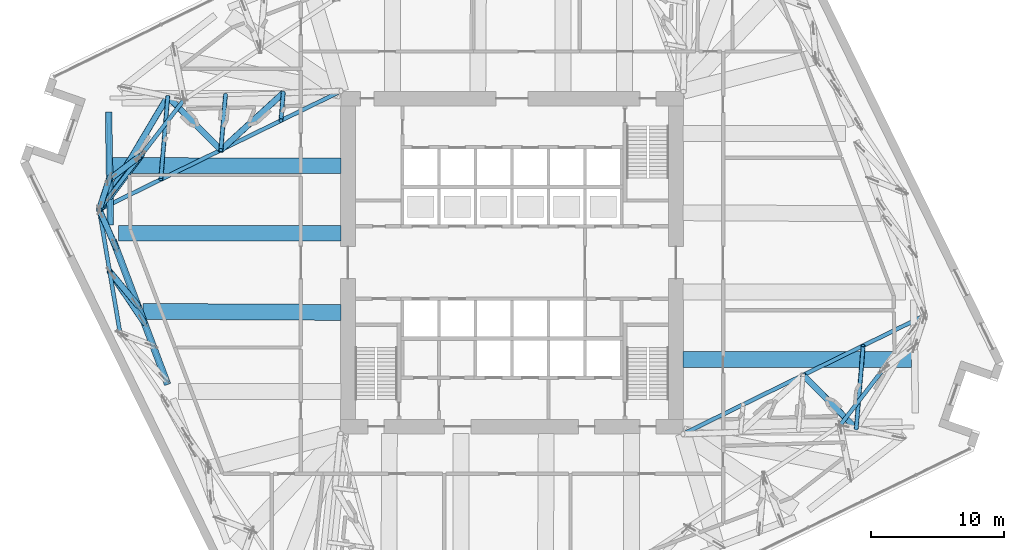
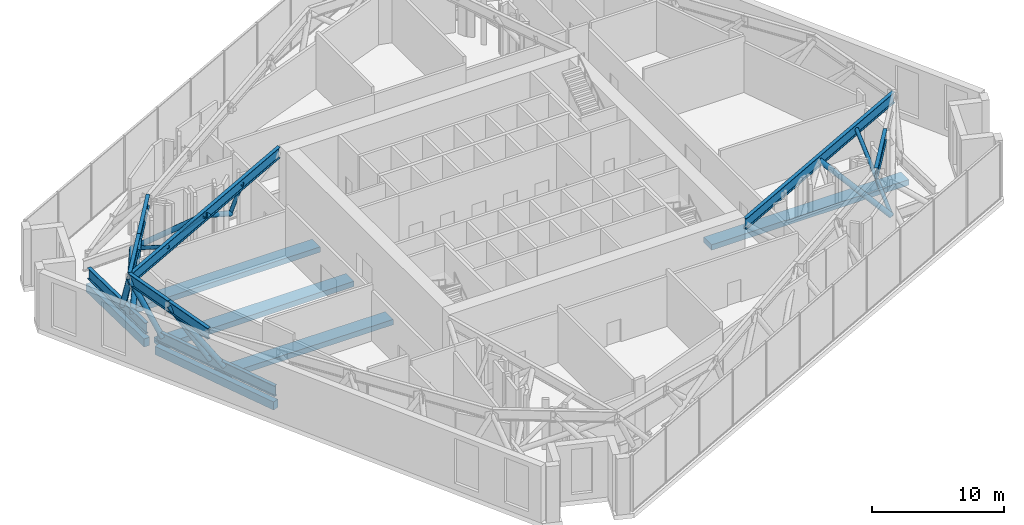
# One storey, part 3 of 21: 15 beams, 14 members.
"""IFC4 building model written with IfcOpenShell, lengths in metres."""

from ifc_helpers import new_model, si_unit, direction, frame, origin, origin_2d, place, context, subcontext, project, spatial, rectangle, hollow_circle, i_section, extrude, material, material_profile, profile_set, type_object, element, save


model = new_model("IFC4")

# Units and contexts
model_context = context("Model", 3, precision=1e-05, world=origin(), true_north=direction((0.0, 1.0)))
body_context = subcontext(model_context, "Body", "Model", "MODEL_VIEW")
ifc_project = project(units=[si_unit("LENGTHUNIT", "METRE"), si_unit("AREAUNIT", "SQUARE_METRE"), si_unit("VOLUMEUNIT", "CUBIC_METRE"), si_unit("PLANEANGLEUNIT", "RADIAN"), si_unit("MASSUNIT", "GRAM", prefix="KILO")], contexts=[model_context])

# Site, building, storey
site_placement = place(None, origin())
site = spatial("IfcSite", under=ifc_project, at=site_placement, CompositionType="ELEMENT")
building_placement = place(site_placement, origin())
building = spatial("IfcBuilding", under=site, at=building_placement, Name="Dilmun Exchange Tower", CompositionType="ELEMENT")
storey_placement = place(building_placement, frame((0.0, 0.0, 130.10009765625)))
storey = spatial("IfcBuildingStorey", under=building, at=storey_placement, Name="L30", CompositionType="ELEMENT", Elevation=130.10009765625)

# Beams
ifc_material_1 = material(Name="Concrete C40/50", Category="concrete")
ifc_material_profile_1 = material_profile(ifc_material_1, rectangle(XDim=1.199951171875, YDim=0.5, at=origin_2d()), Name="1200 x 500")
ifc_profile_set_1 = profile_set([ifc_material_profile_1], Name="Concrete C40/50")
beam_type_1 = type_object("IfcBeamType", Name="RC band beam 1200 x 500 C40/50", PredefinedType="BEAM", material=ifc_profile_set_1)
beam_1_placement = place(storey_placement, frame((-29.61669921875, 2.2099609375, -0.77001953125), z_axis=(1.0, 0.0, 0.0), x_axis=(0.0, 1.0, 0.0)))
element("IfcBeam", 1, at=beam_1_placement, inside=storey, type_object=beam_type_1, Name="Band beam 6", PredefinedType="BEAM", context=body_context, shape_type="SweptSolid", body=[
    extrude(rectangle(XDim=1.199951171875, YDim=0.5, at=origin_2d()), origin(), (0.0, 0.0, 1.0), 16.74365234375),
])
beam_2_placement = place(storey_placement, frame((-30.089599609375, 7.294189453125, -0.670166015625), z_axis=(0.999999977378, -0.000212708627, 0.0), x_axis=(0.000212708627, 0.999999977378, 0.0)))
element("IfcBeam", 2, at=beam_2_placement, inside=storey, type_object=beam_type_1, Name="Band beam 21", PredefinedType="BEAM", context=body_context, shape_type="SweptSolid", body=[
    extrude(rectangle(XDim=1.199951171875, YDim=0.5, at=origin_2d()), origin(), (0.0, 0.0, 1.0), 17.216552734375),
])
beam_3_placement = place(storey_placement, frame((-27.77001953125, -3.6748046875, -0.670166015625), z_axis=(0.999986076233, -0.005277057861, 0.0), x_axis=(0.005277057861, 0.999986076233, 0.0)))
element("IfcBeam", 3, at=beam_3_placement, inside=storey, type_object=beam_type_1, Name="Band beam 22", PredefinedType="BEAM", context=body_context, shape_type="SweptSolid", body=[
    extrude(rectangle(XDim=1.199951171875, YDim=0.5, at=origin_2d()), origin(), (0.0, 0.0, 1.0), 14.897216796875),
])
beam_4_placement = place(storey_placement, frame((30.089599609375, -7.294189453125, -0.670166015625), z_axis=(-0.999999977378, 0.000212708627, 0.0), x_axis=(-0.000212708627, -0.999999977378, 0.0)))
element("IfcBeam", 4, at=beam_4_placement, inside=storey, type_object=beam_type_1, Name="Band beam 29", PredefinedType="BEAM", context=body_context, shape_type="SweptSolid", body=[
    extrude(rectangle(XDim=1.199951171875, YDim=0.5, at=origin_2d()), origin(), (0.0, 0.0, 1.0), 17.216552734375),
])
ifc_material_profile_2 = material_profile(ifc_material_1, rectangle(XDim=0.5, YDim=0.75, at=origin_2d()), Name="500 x 750")
ifc_profile_set_2 = profile_set([ifc_material_profile_2], Name="Concrete C40/50")
beam_type_2 = type_object("IfcBeamType", Name="RC ring beam 500 x 750 C40/50", PredefinedType="SPANDREL", material=ifc_profile_set_2)
beam_5_placement = place(storey_placement, frame((-30.37744140625, 11.33544921875, -0.795166015625), z_axis=(0.016054357527, -0.999871120497, 0.0), x_axis=(0.999871120497, 0.016054357527, 0.0)))
element("IfcBeam", 5, at=beam_5_placement, inside=storey, type_object=beam_type_2, Name="Ring beam 5", PredefinedType="SPANDREL", context=body_context, shape_type="SweptSolid", body=[
    extrude(rectangle(XDim=0.5, YDim=0.75, at=origin_2d()), origin(), (0.0, 0.0, 1.0), 8.515869140625),
])
beam_6_placement = place(storey_placement, frame((-30.028564453125, 1.674072265625, -0.795166015625), z_axis=(0.353349831573, -0.935491259461, 0.0), x_axis=(0.935491259461, 0.353349831573, 0.0)))
element("IfcBeam", 6, at=beam_6_placement, inside=storey, type_object=beam_type_2, Name="Ring beam 6", PredefinedType="SPANDREL", context=body_context, shape_type="SweptSolid", body=[
    extrude(rectangle(XDim=0.5, YDim=0.75, at=origin_2d()), origin(), (0.0, 0.0, 1.0), 11.603515625),
])
ifc_material_2 = material(Name="Steel S355", Category="steel")
ifc_material_profile_3 = material_profile(ifc_material_2, i_section(OverallWidth=0.300048828125, OverallDepth=1.0, WebThickness=0.01904296875, FlangeThickness=0.035888671875, FilletRadius=0.030029296875, at=origin_2d()), Name="HEB 1000")
ifc_profile_set_3 = profile_set([ifc_material_profile_3], Name="Steel S355")
beam_type_3 = type_object("IfcBeamType", Name="belt bottom chord HEB 1000", PredefinedType="BEAM", material=ifc_profile_set_3)
beam_7_placement = place(storey_placement, frame((-30.37744140625, 11.33544921875, 0.5), z_axis=(0.016054357527, -0.999871120497, 0.0), x_axis=(0.999871120497, 0.016054357527, 0.0)))
element("IfcBeam", 7, at=beam_7_placement, inside=storey, type_object=beam_type_3, Name="Belt bottom chord 5", PredefinedType="BEAM", context=body_context, shape_type="SweptSolid", body=[
    extrude(i_section(OverallWidth=0.300048828125, OverallDepth=1.0, WebThickness=0.01904296875, FlangeThickness=0.035888671875, FilletRadius=0.030029296875, at=origin_2d()), origin(), (0.0, 0.0, 1.0), 8.515869140625),
])
beam_8_placement = place(storey_placement, frame((-30.028564453125, 1.674072265625, 0.5), z_axis=(0.353349831573, -0.935491259461, 0.0), x_axis=(0.935491259461, 0.353349831573, 0.0)))
element("IfcBeam", 8, at=beam_8_placement, inside=storey, type_object=beam_type_3, Name="Belt bottom chord 6", PredefinedType="BEAM", context=body_context, shape_type="SweptSolid", body=[
    extrude(i_section(OverallWidth=0.300048828125, OverallDepth=1.0, WebThickness=0.01904296875, FlangeThickness=0.035888671875, FilletRadius=0.030029296875, at=origin_2d()), origin(), (0.0, 0.0, 1.0), 11.603515625),
])
ifc_material_profile_4 = material_profile(ifc_material_2, i_section(OverallWidth=0.300048828125, OverallDepth=1.0, WebThickness=0.01904296875, FlangeThickness=0.035888671875, FilletRadius=0.030029296875, at=origin_2d()), Name="HEB 1000")
ifc_profile_set_4 = profile_set([ifc_material_profile_4], Name="Steel S355")
beam_type_4 = type_object("IfcBeamType", Name="outrigger chord HEB 1000", PredefinedType="BEAM", material=ifc_profile_set_4)
for number, where, z_axis, x_axis, name in (
    (9, (-12.875732421875, 12.911865234375, 4.599853515625), (-0.897791308228, -0.440421124459, 0.0), (0.440421124459, -0.897791308228, 0.0), "Outrigger top chord 2"),
    (10, (12.875732421875, -12.911865234375, 4.599853515625), (0.897791308228, 0.440421124459, 0.0), (-0.440421124459, 0.897791308228, 0.0), "Outrigger top chord 4"),
):
    element("IfcBeam", number, at=place(storey_placement, frame(where, z_axis=z_axis, x_axis=x_axis)), inside=storey, type_object=beam_type_4, Name=name, PredefinedType="BEAM", context=body_context, shape_type="SweptSolid", body=[
        extrude(i_section(OverallWidth=0.300048828125, OverallDepth=1.0, WebThickness=0.01904296875, FlangeThickness=0.035888671875, FilletRadius=0.030029296875, at=origin_2d()), origin(), (0.0, 0.0, 1.0), 20.151611328125),
    ])

# Members
ifc_material_profile_5 = material_profile(ifc_material_2, hollow_circle(Radius=0.161865234375, WallThickness=0.01611328125, at=origin_2d()), Name="CHS 323.9x16")
ifc_profile_set_5 = profile_set([ifc_material_profile_5], Name="Steel S355")
member_type_1 = type_object("IfcMemberType", Name="outrigger post CHS 323.9x16", PredefinedType="POST", material=ifc_profile_set_5)
member_1_placement = place(storey_placement, frame((-17.398681640625, 10.693115234375, 4.599853515625), z_axis=(0.03832819552, 0.451444563301, -0.891475605776), x_axis=(-0.996415259265, 0.084596874082, 0.0)))
element("IfcMember", 11, at=member_1_placement, inside=storey, type_object=member_type_1, Name="Outrigger post 2.1", PredefinedType="POST", context=body_context, shape_type="SweptSolid", body=[
    extrude(hollow_circle(Radius=0.161865234375, WallThickness=0.01611328125, at=origin_2d()), origin(), (0.0, 0.0, 1.0), 4.598876953125),
])
member_2_placement = place(storey_placement, frame((-21.921630859375, 8.474365234375, 4.599853515625), z_axis=(0.059725784946, 0.711245677854, -0.700401610754), x_axis=(-0.99649276384, 0.083678979524, 0.0)))
element("IfcMember", 12, at=member_2_placement, inside=storey, type_object=member_type_1, Name="Outrigger post 2.2", PredefinedType="POST", context=body_context, shape_type="SweptSolid", body=[
    extrude(hollow_circle(Radius=0.161865234375, WallThickness=0.01611328125, at=origin_2d()), origin(), (0.0, 0.0, 1.0), 5.853515625),
])
for number, where, z_axis, x_axis, name in (
    (13, (-26.444580078125, 6.25537109375, 4.599853515625), (0.069818603065, 0.834141714548, -0.547113299707), (-0.996515359595, 0.083409460439, 0.0), "Outrigger post 2.3"),
    (14, (26.444580078125, -6.25537109375, 4.599853515625), (-0.069818603065, -0.834141714548, -0.547113299707), (0.996515359595, -0.083409460439, 0.0), "Outrigger post 4.3"),
):
    element("IfcMember", number, at=place(storey_placement, frame(where, z_axis=z_axis, x_axis=x_axis)), inside=storey, type_object=member_type_1, Name=name, PredefinedType="POST", context=body_context, shape_type="SweptSolid", body=[
        extrude(hollow_circle(Radius=0.161865234375, WallThickness=0.01611328125, at=origin_2d()), origin(), (0.0, 0.0, 1.0), 7.49365234375),
    ])

# Beams
ifc_material_profile_6 = material_profile(ifc_material_2, i_section(OverallWidth=0.302001953125, OverallDepth=1.008056640625, WebThickness=0.02099609375, FlangeThickness=0.0400390625, FilletRadius=0.030029296875, at=origin_2d()), Name="HEM 1000")
ifc_profile_set_6 = profile_set([ifc_material_profile_6], Name="Steel S355")
beam_type_5 = type_object("IfcBeamType", Name="transfer chord HEM 1000", PredefinedType="BEAM", material=ifc_profile_set_6)
beam_9_placement = place(storey_placement, frame((-24.698974609375, 12.258056640625, 4.69580078125), z_axis=(-0.610541445575, -0.791984307443, 0.0), x_axis=(0.791984307443, -0.610541445575, 0.0)))
element("IfcBeam", 15, at=beam_9_placement, inside=storey, type_object=beam_type_5, Name="Transfer chord 7", PredefinedType="BEAM", context=body_context, shape_type="SweptSolid", body=[
    extrude(i_section(OverallWidth=0.302001953125, OverallDepth=1.008056640625, WebThickness=0.02099609375, FlangeThickness=0.0400390625, FilletRadius=0.030029296875, at=origin_2d()), origin(), (0.0, 0.0, 1.0), 5.224853515625),
])
beam_10_placement = place(storey_placement, frame((-27.888916015625, 8.1201171875, 4.69580078125), z_axis=(-0.610548159849, -0.791979131357, 0.0), x_axis=(0.791979131357, -0.610548159849, 0.0)))
element("IfcBeam", 16, at=beam_10_placement, inside=storey, type_object=beam_type_5, Name="Transfer chord 8", PredefinedType="BEAM", context=body_context, shape_type="SweptSolid", body=[
    extrude(i_section(OverallWidth=0.302001953125, OverallDepth=1.008056640625, WebThickness=0.02099609375, FlangeThickness=0.0400390625, FilletRadius=0.030029296875, at=origin_2d()), origin(), (0.0, 0.0, 1.0), 5.22509765625),
])
for number, where, z_axis, x_axis, name in (
    (17, (-31.0791015625, 3.98193359375, 4.69580078125), (0.166498786046, -0.986041659488, 0.0), (0.986041659488, 0.166498786046, 0.0), "Transfer chord 9"),
    (18, (-30.29443359375, -0.6650390625, 4.69580078125), (0.166448417276, -0.98605016322, 0.0), (0.98605016322, 0.166448417276, 0.0), "Transfer chord 10"),
):
    element("IfcBeam", number, at=place(storey_placement, frame(where, z_axis=z_axis, x_axis=x_axis)), inside=storey, type_object=beam_type_5, Name=name, PredefinedType="BEAM", context=body_context, shape_type="SweptSolid", body=[
        extrude(i_section(OverallWidth=0.302001953125, OverallDepth=1.008056640625, WebThickness=0.02099609375, FlangeThickness=0.0400390625, FilletRadius=0.030029296875, at=origin_2d()), origin(), (0.0, 0.0, 1.0), 4.712646484375),
    ])
beam_11_placement = place(storey_placement, frame((24.698974609375, -12.258056640625, 4.69580078125), z_axis=(0.610541445575, 0.791984307443, 0.0), x_axis=(-0.791984307443, 0.610541445575, 0.0)))
element("IfcBeam", 19, at=beam_11_placement, inside=storey, type_object=beam_type_5, Name="Transfer chord 23", PredefinedType="BEAM", context=body_context, shape_type="SweptSolid", body=[
    extrude(i_section(OverallWidth=0.302001953125, OverallDepth=1.008056640625, WebThickness=0.02099609375, FlangeThickness=0.0400390625, FilletRadius=0.030029296875, at=origin_2d()), origin(), (0.0, 0.0, 1.0), 5.224853515625),
])

# Members
ifc_material_profile_7 = material_profile(ifc_material_2, hollow_circle(Radius=0.228515625, WallThickness=0.02490234375, at=origin_2d()), Name="CHS 457x25")
ifc_profile_set_7 = profile_set([ifc_material_profile_7], Name="Steel S355")
member_type_2 = type_object("IfcMemberType", Name="truss diagonal CHS 457x25", PredefinedType="BRACE", material=ifc_profile_set_7)
member_3_placement = place(storey_placement, frame((-27.888916015625, 8.1201171875, 4.69580078125), z_axis=(-0.412412354145, -0.551219582224, -0.725308915098), x_axis=(0.800698328831, -0.599067764286, 0.0)))
element("IfcMember", 20, at=member_3_placement, inside=storey, type_object=member_type_2, Name="Truss diagonal 15", PredefinedType="BRACE", context=body_context, shape_type="SweptSolid", body=[
    extrude(hollow_circle(Radius=0.228515625, WallThickness=0.02490234375, at=origin_2d()), origin(), (0.0, 0.0, 1.0), 5.784912109375),
])
member_4_placement = place(storey_placement, frame((-27.888916015625, 8.1201171875, 4.69580078125), z_axis=(-0.46519898955, -0.355326923161, -0.810760555157), x_axis=(0.60700430319, -0.794698544046, 0.0)))
element("IfcMember", 21, at=member_4_placement, inside=storey, type_object=member_type_2, Name="Truss diagonal 16", PredefinedType="BRACE", context=body_context, shape_type="SweptSolid", body=[
    extrude(hollow_circle(Radius=0.228515625, WallThickness=0.02490234375, at=origin_2d()), origin(), (0.0, 0.0, 1.0), 5.175048828125),
])
member_5_placement = place(storey_placement, frame((-31.0791015625, 3.98193359375, 4.69580078125), z_axis=(0.240133696137, -0.545138075464, -0.803218704127), x_axis=(0.915146044161, 0.403122460125, 0.0)))
element("IfcMember", 22, at=member_5_placement, inside=storey, type_object=member_type_2, Name="Truss diagonal 17", PredefinedType="BRACE", context=body_context, shape_type="SweptSolid", body=[
    extrude(hollow_circle(Radius=0.228515625, WallThickness=0.02490234375, at=origin_2d()), origin(), (0.0, 0.0, 1.0), 5.2236328125),
])
member_6_placement = place(storey_placement, frame((-31.0791015625, 3.98193359375, 4.69580078125), z_axis=(0.15930099841, 0.49214497258, -0.855813366261), x_axis=(-0.951400559526, 0.307956125663, 0.0)))
element("IfcMember", 23, at=member_6_placement, inside=storey, type_object=member_type_2, Name="Truss diagonal 18", PredefinedType="BRACE", context=body_context, shape_type="SweptSolid", body=[
    extrude(hollow_circle(Radius=0.228515625, WallThickness=0.02490234375, at=origin_2d()), origin(), (0.0, 0.0, 1.0), 4.902587890625),
])
member_7_placement = place(storey_placement, frame((-30.29443359375, -0.6650390625, 4.69580078125), z_axis=(0.395643292874, -0.479248523791, -0.783445746206), x_axis=(0.771165288794, 0.636634979686, 0.0)))
element("IfcMember", 24, at=member_7_placement, inside=storey, type_object=member_type_2, Name="Truss diagonal 19", PredefinedType="BRACE", context=body_context, shape_type="SweptSolid", body=[
    extrude(hollow_circle(Radius=0.228515625, WallThickness=0.02490234375, at=origin_2d()), origin(), (0.0, 0.0, 1.0), 5.35546875),
])
member_8_placement = place(storey_placement, frame((-30.29443359375, -0.6650390625, 4.69580078125), z_axis=(0.416040742936, -0.617084999191, -0.667919309491), x_axis=(0.829154876397, 0.559018954014, 0.0)))
element("IfcMember", 25, at=member_8_placement, inside=storey, type_object=member_type_2, Name="Truss diagonal 20", PredefinedType="BRACE", context=body_context, shape_type="SweptSolid", body=[
    extrude(hollow_circle(Radius=0.228515625, WallThickness=0.02490234375, at=origin_2d()), origin(), (0.0, 0.0, 1.0), 6.281982421875),
])
member_9_placement = place(storey_placement, frame((-21.921630859375, 8.474365234375, 4.599853515625), z_axis=(0.620590485351, 0.56719803711, -0.54143682567), x_axis=(-0.674640278426, 0.73814666207, 0.0)))
element("IfcMember", 26, at=member_9_placement, inside=storey, type_object=member_type_2, Name="Outrigger diagonal 2.1", PredefinedType="BRACE", context=body_context, shape_type="SweptSolid", body=[
    extrude(hollow_circle(Radius=0.228515625, WallThickness=0.02490234375, at=origin_2d()), origin(), (0.0, 0.0, 1.0), 7.572265625),
])
member_10_placement = place(storey_placement, frame((-21.921630859375, 8.474365234375, 4.599853515625), z_axis=(-0.571033943368, 0.575599984177, -0.585324605443), x_axis=(-0.709916940835, -0.704285408847, 0.0)))
element("IfcMember", 27, at=member_10_placement, inside=storey, type_object=member_type_2, Name="Outrigger diagonal 2.2", PredefinedType="BRACE", context=body_context, shape_type="SweptSolid", body=[
    extrude(hollow_circle(Radius=0.228515625, WallThickness=0.02490234375, at=origin_2d()), origin(), (0.0, 0.0, 1.0), 7.00439453125),
])
member_11_placement = place(storey_placement, frame((-30.9677734375, 4.03662109375, 4.599853515625), z_axis=(0.472623013026, 0.793215527086, -0.383974758478), x_axis=(-0.859068645557, 0.511860393291, 0.0)))
element("IfcMember", 28, at=member_11_placement, inside=storey, type_object=member_type_2, Name="Outrigger diagonal 2.3", PredefinedType="BRACE", context=body_context, shape_type="SweptSolid", body=[
    extrude(hollow_circle(Radius=0.228515625, WallThickness=0.02490234375, at=origin_2d()), origin(), (0.0, 0.0, 1.0), 10.677490234375),
])
member_12_placement = place(storey_placement, frame((21.921630859375, -8.474365234375, 4.599853515625), z_axis=(0.571033943368, -0.575599984177, -0.585324605443), x_axis=(0.709916940835, 0.704285408847, 0.0)))
element("IfcMember", 29, at=member_12_placement, inside=storey, type_object=member_type_2, Name="Outrigger diagonal 4.2", PredefinedType="BRACE", context=body_context, shape_type="SweptSolid", body=[
    extrude(hollow_circle(Radius=0.228515625, WallThickness=0.02490234375, at=origin_2d()), origin(), (0.0, 0.0, 1.0), 7.00439453125),
])

save(model, "model.ifc")
